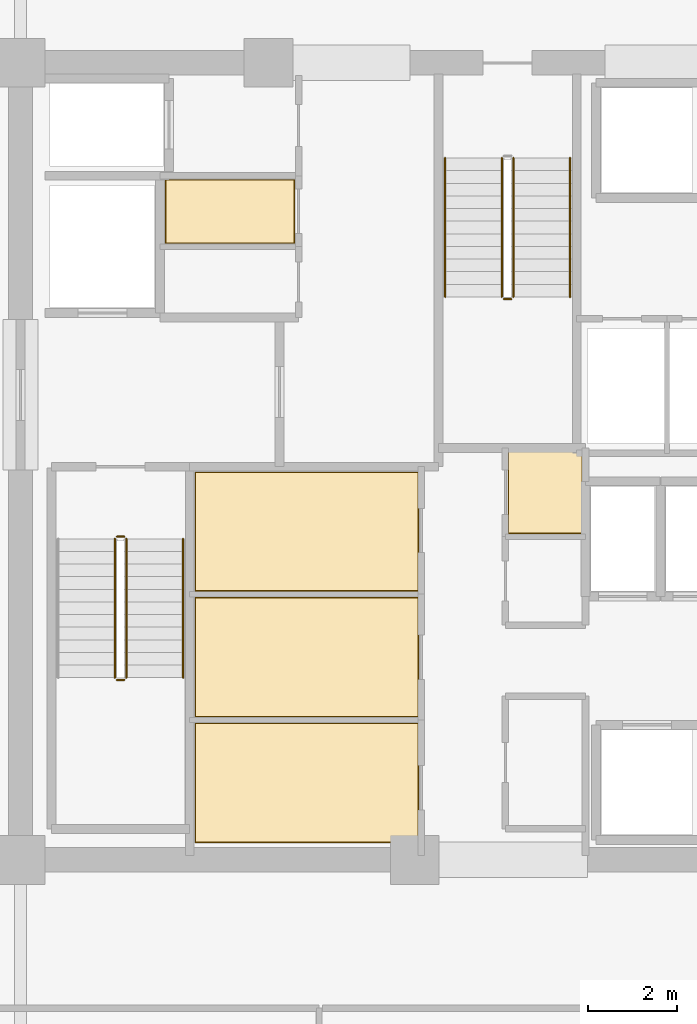
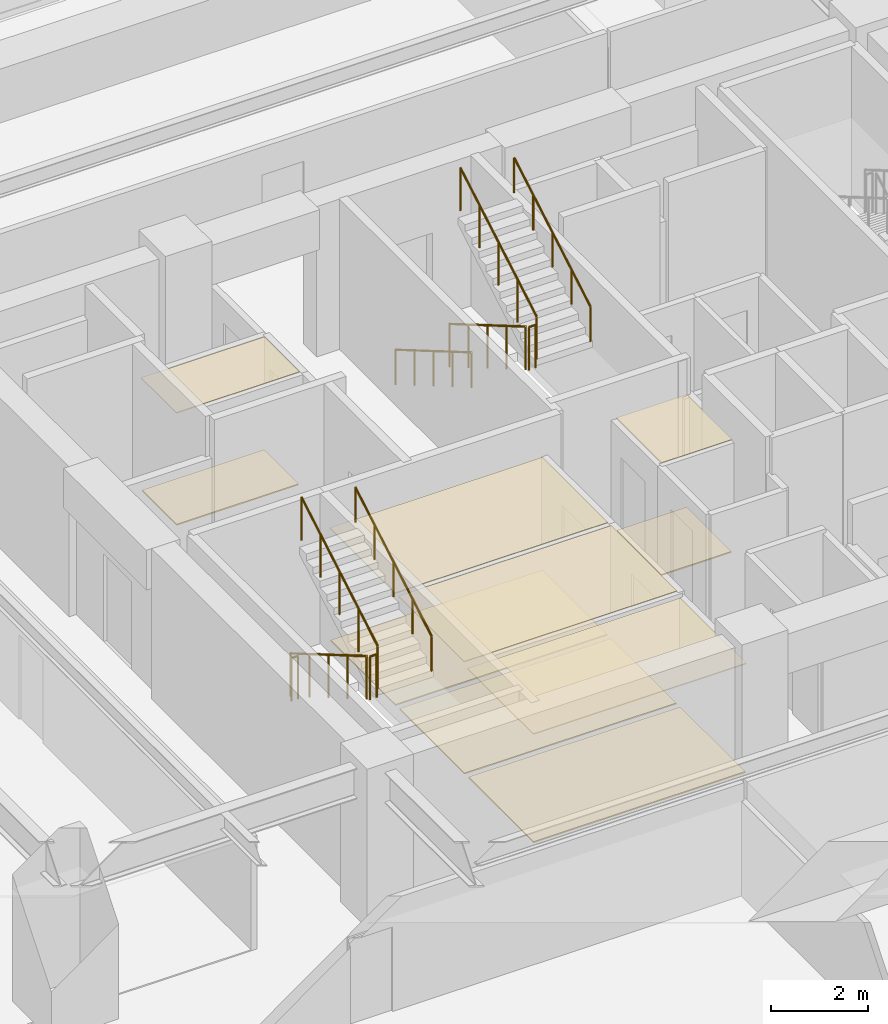
# One storey, part 19 of 23: 10 coverings, 10 railings.
"""IFC4 building model written with IfcOpenShell, lengths in metres."""

from ifc_helpers import new_model, si_unit, direction, frame, origin, origin_2d, place, context, subcontext, project, spatial, polyline, circle, outline, extrude, material, layer, layer_set, type_object, element, save


model = new_model("IFC4")

# Units and contexts
model_context = context("Model", 3, precision=1e-05, world=origin(), true_north=direction((0.0, 1.0)))
body_context = subcontext(model_context, "Body", "Model", "MODEL_VIEW")
ifc_project = project(units=[si_unit("LENGTHUNIT", "METRE"), si_unit("AREAUNIT", "SQUARE_METRE"), si_unit("VOLUMEUNIT", "CUBIC_METRE"), si_unit("PLANEANGLEUNIT", "RADIAN"), si_unit("MASSUNIT", "GRAM", prefix="KILO")], contexts=[model_context])

# Site, building, storey
site_placement = place(None, origin())
site = spatial("IfcSite", under=ifc_project, at=site_placement, CompositionType="ELEMENT")
building_placement = place(site_placement, origin())
building = spatial("IfcBuilding", under=site, at=building_placement, Name="Kovane Verandah Tower", CompositionType="ELEMENT")
storey_placement = place(building_placement, frame((0.0, 0.0, 136.39990234375)))
storey = spatial("IfcBuildingStorey", under=building, at=storey_placement, Name="L31", CompositionType="ELEMENT", Elevation=136.39990234375)

# Coverings
ifc_material_1 = material(Name="Perforated Acoustic Mineral-Fibre Ceiling Tile", Category="gypsum")
ifc_layer_1 = layer(ifc_material_1, 0.02490234375)
ifc_layer_set_1 = layer_set([ifc_layer_1], Name="Perforated Acoustic Mineral-Fibre Ceiling Tile")
covering_type_1 = type_object("IfcCoveringType", Name="CV-CEIL-25", PredefinedType="CEILING", material=ifc_layer_set_1)
covering_1_placement = place(storey_placement, frame((0.0, 0.0, 2.72998046875)))
element("IfcCovering", 1, at=covering_1_placement, inside=storey, type_object=covering_type_1, Name="L31 Project Archive Room Acoustic Ceiling", PredefinedType="CEILING", context=body_context, shape_type="SweptSolid", body=[
    extrude(outline(polyline([(32.93505859375, 18.885009765625), (37.9951171875, 18.885009765625), (37.9951171875, 21.594970703125), (32.93505859375, 21.594970703125), (32.93505859375, 18.885009765625)])), origin(), (0.0, 0.0, 1.0), 0.025146484375),
])
covering_2_placement = place(storey_placement, frame((0.0, 0.0, 2.8251953125)))
element("IfcCovering", 2, at=covering_2_placement, inside=storey, type_object=covering_type_1, Name="L31 First Aid and Wellness Room Acoustic Ceiling", PredefinedType="CEILING", context=body_context, shape_type="SweptSolid", body=[
    extrude(outline(polyline([(32.93505859375, 21.72509765625), (37.9951171875, 21.72509765625), (37.9951171875, 24.43505859375), (32.93505859375, 24.43505859375), (32.93505859375, 21.72509765625)])), origin(), (0.0, 0.0, 1.0), 0.02490234375),
])
covering_3_placement = place(storey_placement, frame((0.0, 0.0, 2.8251953125)))
element("IfcCovering", 3, at=covering_3_placement, inside=storey, type_object=covering_type_1, Name="L31 Tea and Copy Hub Acoustic Ceiling", PredefinedType="CEILING", context=body_context, shape_type="SweptSolid", body=[
    extrude(outline(polyline([(32.93505859375, 24.56494140625), (37.9951171875, 24.56494140625), (37.9951171875, 27.264892578125), (32.93505859375, 27.264892578125), (32.93505859375, 24.56494140625)])), origin(), (0.0, 0.0, 1.0), 0.02490234375),
])
covering_4_placement = place(storey_placement, frame((0.0, 0.0, 2.8251953125)))
element("IfcCovering", 4, at=covering_4_placement, inside=storey, type_object=covering_type_1, Name="L31 North-West First Aid Room Acoustic Ceiling", PredefinedType="CEILING", context=body_context, shape_type="SweptSolid", body=[
    extrude(outline(polyline([(32.264892578125, 32.4150390625), (35.195068359375, 32.4150390625), (35.195068359375, 33.864990234375), (32.264892578125, 33.864990234375), (32.264892578125, 32.4150390625)])), origin(), (0.0, 0.0, 1.0), 0.02490234375),
])
covering_5_placement = place(storey_placement, frame((0.0, 0.0, 2.8251953125)))
element("IfcCovering", 5, at=covering_5_placement, inside=storey, type_object=covering_type_1, Name="L31 Central First Aid and Wellness Room Acoustic Ceiling", PredefinedType="CEILING", context=body_context, shape_type="SweptSolid", body=[
    extrude(outline(polyline([(40.0048828125, 25.864990234375), (41.695068359375, 25.864990234375), (41.695068359375, 27.735107421875), (40.0048828125, 27.735107421875), (40.0048828125, 25.864990234375)])), origin(), (0.0, 0.0, 1.0), 0.02490234375),
])
ifc_material_2 = material(Name="Polished Terrazzo and Raised-Access Carpet Tile Finish", Category="concrete")
ifc_layer_2 = layer(ifc_material_2, 0.030029296875)
ifc_layer_set_2 = layer_set([ifc_layer_2], Name="Polished Terrazzo and Raised-Access Carpet Tile Finish")
covering_type_2 = type_object("IfcCoveringType", Name="CV-FLOR-30", PredefinedType="FLOORING", material=ifc_layer_set_2)
covering_6_placement = place(storey_placement, origin())
element("IfcCovering", 6, at=covering_6_placement, inside=storey, type_object=covering_type_2, Name="L31 Project Archive Room Floor Finish", PredefinedType="FLOORING", context=body_context, shape_type="SweptSolid", body=[
    extrude(outline(polyline([(32.949951171875, 18.89990234375), (37.97998046875, 18.89990234375), (37.97998046875, 21.580078125), (32.949951171875, 21.580078125), (32.949951171875, 18.89990234375)])), origin(), (0.0, 0.0, 1.0), 0.030029296875),
])
covering_7_placement = place(storey_placement, origin())
element("IfcCovering", 7, at=covering_7_placement, inside=storey, type_object=covering_type_2, Name="L31 First Aid and Wellness Room Floor Finish", PredefinedType="FLOORING", context=body_context, shape_type="SweptSolid", body=[
    extrude(outline(polyline([(32.949951171875, 21.739990234375), (37.97998046875, 21.739990234375), (37.97998046875, 24.419921875), (32.949951171875, 24.419921875), (32.949951171875, 21.739990234375)])), origin(), (0.0, 0.0, 1.0), 0.030029296875),
])
covering_8_placement = place(storey_placement, origin())
element("IfcCovering", 8, at=covering_8_placement, inside=storey, type_object=covering_type_2, Name="L31 Tea and Copy Hub Floor Finish", PredefinedType="FLOORING", context=body_context, shape_type="SweptSolid", body=[
    extrude(outline(polyline([(32.949951171875, 24.580078125), (37.97998046875, 24.580078125), (37.97998046875, 27.25), (32.949951171875, 27.25), (32.949951171875, 24.580078125)])), origin(), (0.0, 0.0, 1.0), 0.030029296875),
])
covering_9_placement = place(storey_placement, origin())
element("IfcCovering", 9, at=covering_9_placement, inside=storey, type_object=covering_type_2, Name="L31 North-West First Aid Room Floor Finish", PredefinedType="FLOORING", context=body_context, shape_type="SweptSolid", body=[
    extrude(outline(polyline([(32.280029296875, 32.429931640625), (35.179931640625, 32.429931640625), (35.179931640625, 33.85009765625), (32.280029296875, 33.85009765625), (32.280029296875, 32.429931640625)])), origin(), (0.0, 0.0, 1.0), 0.030029296875),
])
covering_10_placement = place(storey_placement, origin())
element("IfcCovering", 10, at=covering_10_placement, inside=storey, type_object=covering_type_2, Name="L31 Central First Aid and Wellness Room Floor Finish", PredefinedType="FLOORING", context=body_context, shape_type="SweptSolid", body=[
    extrude(outline(polyline([(40.02001953125, 25.8798828125), (41.679931640625, 25.8798828125), (41.679931640625, 27.719970703125), (40.02001953125, 27.719970703125), (40.02001953125, 25.8798828125)])), origin(), (0.0, 0.0, 1.0), 0.030029296875),
])

# Railings
ifc_material_3 = material(Name="Brushed Stainless Steel Handrail", Category="steel")
railing_type_1 = type_object("IfcRailingType", Name="RL-HAND-920", PredefinedType="HANDRAIL", material=ifc_material_3)
railing_1_placement = place(storey_placement, frame((32.669921875, 22.614990234375, 2.166748046875)))
element("IfcRailing", 11, at=railing_1_placement, inside=storey, type_object=railing_type_1, Name="L31 ST-01 stair handrail 2", PredefinedType="HANDRAIL", context=body_context, shape_type="SweptSolid", body=[
    extrude(circle(Radius=0.02392578125, at=origin_2d()), frame((0.0, 0.0, 0.8759765625), z_axis=(0.0, 0.863239559939, 0.504794475164), x_axis=(-1.0, 0.0, 0.0)), (0.0, 0.0, 1.0), 3.631591796875),
    extrude(circle(Radius=0.02099609375, at=origin_2d()), origin(), (0.0, 0.0, 1.0), 0.851806640625),
    extrude(circle(Radius=0.02099609375, at=origin_2d()), frame((0.0, 0.78369140625, 0.458251953125)), (0.0, 0.0, 1.0), 0.851806640625),
    extrude(circle(Radius=0.02099609375, at=origin_2d()), frame((0.0, 1.5673828125, 0.91650390625)), (0.0, 0.0, 1.0), 0.851806640625),
    extrude(circle(Radius=0.02099609375, at=origin_2d()), frame((0.0, 2.351318359375, 1.375)), (0.0, 0.0, 1.0), 0.851806640625),
    extrude(circle(Radius=0.02099609375, at=origin_2d()), frame((0.0, 3.135009765625, 1.833251953125)), (0.0, 0.0, 1.0), 0.851806640625),
])
railing_2_placement = place(storey_placement, frame((38.590087890625, 34.35009765625, 0.166748046875)))
element("IfcRailing", 12, at=railing_2_placement, inside=storey, type_object=railing_type_1, Name="L31 ST-03 stair handrail 1", PredefinedType="HANDRAIL", context=body_context, shape_type="SweptSolid", body=[
    extrude(circle(Radius=0.02392578125, at=origin_2d()), frame((0.0, 0.0, 0.8759765625), z_axis=(0.0, -0.863239559939, 0.504794475164), x_axis=(1.0, 0.0, 0.0)), (0.0, 0.0, 1.0), 3.631591796875),
    extrude(circle(Radius=0.02099609375, at=origin_2d()), origin(), (0.0, 0.0, 1.0), 0.851806640625),
    extrude(circle(Radius=0.02099609375, at=origin_2d()), frame((0.0, -0.78369140625, 0.458251953125)), (0.0, 0.0, 1.0), 0.851806640625),
    extrude(circle(Radius=0.02099609375, at=origin_2d()), frame((0.0, -1.5673828125, 0.91650390625)), (0.0, 0.0, 1.0), 0.851806640625),
    extrude(circle(Radius=0.02099609375, at=origin_2d()), frame((0.0, -2.351318359375, 1.375)), (0.0, 0.0, 1.0), 0.851806640625),
    extrude(circle(Radius=0.02099609375, at=origin_2d()), frame((0.0, -3.135009765625, 1.833251953125)), (0.0, 0.0, 1.0), 0.851806640625),
])
railing_3_placement = place(storey_placement, frame((41.409912109375, 31.215087890625, 2.166748046875)))
element("IfcRailing", 13, at=railing_3_placement, inside=storey, type_object=railing_type_1, Name="L31 ST-03 stair handrail 2", PredefinedType="HANDRAIL", context=body_context, shape_type="SweptSolid", body=[
    extrude(circle(Radius=0.02392578125, at=origin_2d()), frame((0.0, 0.0, 0.8759765625), z_axis=(0.0, 0.863239559939, 0.504794475164), x_axis=(-1.0, 0.0, 0.0)), (0.0, 0.0, 1.0), 3.631591796875),
    extrude(circle(Radius=0.02099609375, at=origin_2d()), origin(), (0.0, 0.0, 1.0), 0.851806640625),
    extrude(circle(Radius=0.02099609375, at=origin_2d()), frame((0.0, 0.78369140625, 0.458251953125)), (0.0, 0.0, 1.0), 0.851806640625),
    extrude(circle(Radius=0.02099609375, at=origin_2d()), frame((0.0, 1.5673828125, 0.91650390625)), (0.0, 0.0, 1.0), 0.851806640625),
    extrude(circle(Radius=0.02099609375, at=origin_2d()), frame((0.0, 2.351318359375, 1.375)), (0.0, 0.0, 1.0), 0.851806640625),
    extrude(circle(Radius=0.02099609375, at=origin_2d()), frame((0.0, 3.135009765625, 1.833251953125)), (0.0, 0.0, 1.0), 0.851806640625),
])
ifc_material_4 = material(Name="Painted Steel Stairwell Guardrail", Category="steel")
railing_type_2 = type_object("IfcRailingType", Name="RL-STGUARD-1120", PredefinedType="GUARDRAIL", material=ifc_material_4)
railing_4_placement = place(storey_placement, frame((31.1298828125, 25.75, 0.166748046875)))
element("IfcRailing", 14, at=railing_4_placement, inside=storey, type_object=railing_type_2, Name="L31 ST-01 stair guard 1", PredefinedType="GUARDRAIL", context=body_context, shape_type="SweptSolid", body=[
    extrude(circle(Radius=0.02392578125, at=origin_2d()), frame((0.0, 0.0, 1.076171875), z_axis=(0.0, -0.863239559939, 0.504794475164), x_axis=(1.0, 0.0, 0.0)), (0.0, 0.0, 1.0), 3.631591796875),
    extrude(circle(Radius=0.02099609375, at=origin_2d()), origin(), (0.0, 0.0, 1.0), 1.052001953125),
    extrude(circle(Radius=0.02099609375, at=origin_2d()), frame((0.0, -0.78369140625, 0.458251953125)), (0.0, 0.0, 1.0), 1.052001953125),
    extrude(circle(Radius=0.02099609375, at=origin_2d()), frame((0.0, -1.5673828125, 0.91650390625)), (0.0, 0.0, 1.0), 1.052001953125),
    extrude(circle(Radius=0.02099609375, at=origin_2d()), frame((0.0, -2.351318359375, 1.375)), (0.0, 0.0, 1.0), 1.052001953125),
    extrude(circle(Radius=0.02099609375, at=origin_2d()), frame((0.0, -3.135009765625, 1.833251953125)), (0.0, 0.0, 1.0), 1.052001953125),
])
railing_5_placement = place(storey_placement, frame((31.179931640625, 22.56494140625, 2.0)))
element("IfcRailing", 15, at=railing_5_placement, inside=storey, type_object=railing_type_2, Name="L31 ST-01 stair guard 2", PredefinedType="GUARDRAIL", context=body_context, shape_type="SweptSolid", body=[
    extrude(circle(Radius=0.02392578125, at=origin_2d()), frame((0.0, 0.0, 1.076171875), z_axis=(1.0, 0.0, 0.0), x_axis=(0.0, 1.0, 0.0)), (0.0, 0.0, 1.0), 0.16015625),
    extrude(circle(Radius=0.02099609375, at=origin_2d()), origin(), (0.0, 0.0, 1.0), 1.052001953125),
    extrude(circle(Radius=0.02099609375, at=origin_2d()), frame((0.16015625, 0.0, 0.0)), (0.0, 0.0, 1.0), 1.052001953125),
])
railing_6_placement = place(storey_placement, frame((31.389892578125, 22.614990234375, 2.166748046875)))
element("IfcRailing", 16, at=railing_6_placement, inside=storey, type_object=railing_type_2, Name="L31 ST-01 stair guard 3", PredefinedType="GUARDRAIL", context=body_context, shape_type="SweptSolid", body=[
    extrude(circle(Radius=0.02392578125, at=origin_2d()), frame((0.0, 0.0, 1.076171875), z_axis=(0.0, 0.863239559939, 0.504794475164), x_axis=(-1.0, 0.0, 0.0)), (0.0, 0.0, 1.0), 3.631591796875),
    extrude(circle(Radius=0.02099609375, at=origin_2d()), origin(), (0.0, 0.0, 1.0), 1.052001953125),
    extrude(circle(Radius=0.02099609375, at=origin_2d()), frame((0.0, 0.78369140625, 0.458251953125)), (0.0, 0.0, 1.0), 1.052001953125),
    extrude(circle(Radius=0.02099609375, at=origin_2d()), frame((0.0, 1.5673828125, 0.91650390625)), (0.0, 0.0, 1.0), 1.052001953125),
    extrude(circle(Radius=0.02099609375, at=origin_2d()), frame((0.0, 2.351318359375, 1.375)), (0.0, 0.0, 1.0), 1.052001953125),
    extrude(circle(Radius=0.02099609375, at=origin_2d()), frame((0.0, 3.135009765625, 1.833251953125)), (0.0, 0.0, 1.0), 1.052001953125),
])
railing_7_placement = place(storey_placement, frame((31.179931640625, 25.800048828125, 0.0)))
element("IfcRailing", 17, at=railing_7_placement, inside=storey, type_object=railing_type_2, Name="L31 ST-01 stair guard 4", PredefinedType="GUARDRAIL", context=body_context, shape_type="SweptSolid", body=[
    extrude(circle(Radius=0.02392578125, at=origin_2d()), frame((0.0, 0.0, 1.076171875), z_axis=(1.0, 0.0, 0.0), x_axis=(0.0, 1.0, 0.0)), (0.0, 0.0, 1.0), 0.16015625),
    extrude(circle(Radius=0.02099609375, at=origin_2d()), origin(), (0.0, 0.0, 1.0), 1.052001953125),
    extrude(circle(Radius=0.02099609375, at=origin_2d()), frame((0.16015625, 0.0, 0.0)), (0.0, 0.0, 1.0), 1.052001953125),
])
railing_8_placement = place(storey_placement, frame((39.8701171875, 34.35009765625, 0.166748046875)))
element("IfcRailing", 18, at=railing_8_placement, inside=storey, type_object=railing_type_2, Name="L31 ST-03 stair guard 1", PredefinedType="GUARDRAIL", context=body_context, shape_type="SweptSolid", body=[
    extrude(circle(Radius=0.02392578125, at=origin_2d()), frame((0.0, 0.0, 1.076171875), z_axis=(0.0, -0.863239559939, 0.504794475164), x_axis=(1.0, 0.0, 0.0)), (0.0, 0.0, 1.0), 3.631591796875),
    extrude(circle(Radius=0.02099609375, at=origin_2d()), origin(), (0.0, 0.0, 1.0), 1.052001953125),
    extrude(circle(Radius=0.02099609375, at=origin_2d()), frame((0.0, -0.78369140625, 0.458251953125)), (0.0, 0.0, 1.0), 1.052001953125),
    extrude(circle(Radius=0.02099609375, at=origin_2d()), frame((0.0, -1.5673828125, 0.91650390625)), (0.0, 0.0, 1.0), 1.052001953125),
    extrude(circle(Radius=0.02099609375, at=origin_2d()), frame((0.0, -2.351318359375, 1.375)), (0.0, 0.0, 1.0), 1.052001953125),
    extrude(circle(Radius=0.02099609375, at=origin_2d()), frame((0.0, -3.135009765625, 1.833251953125)), (0.0, 0.0, 1.0), 1.052001953125),
])
railing_9_placement = place(storey_placement, frame((39.919921875, 31.1650390625, 2.0)))
element("IfcRailing", 19, at=railing_9_placement, inside=storey, type_object=railing_type_2, Name="L31 ST-03 stair guard 2", PredefinedType="GUARDRAIL", context=body_context, shape_type="SweptSolid", body=[
    extrude(circle(Radius=0.02392578125, at=origin_2d()), frame((0.0, 0.0, 1.076171875), z_axis=(1.0, 0.0, 0.0), x_axis=(0.0, 1.0, 0.0)), (0.0, 0.0, 1.0), 0.16015625),
    extrude(circle(Radius=0.02099609375, at=origin_2d()), origin(), (0.0, 0.0, 1.0), 1.052001953125),
    extrude(circle(Radius=0.02099609375, at=origin_2d()), frame((0.16015625, 0.0, 0.0)), (0.0, 0.0, 1.0), 1.052001953125),
])
railing_10_placement = place(storey_placement, frame((40.1298828125, 31.215087890625, 2.166748046875)))
element("IfcRailing", 20, at=railing_10_placement, inside=storey, type_object=railing_type_2, Name="L31 ST-03 stair guard 3", PredefinedType="GUARDRAIL", context=body_context, shape_type="SweptSolid", body=[
    extrude(circle(Radius=0.02392578125, at=origin_2d()), frame((0.0, 0.0, 1.076171875), z_axis=(0.0, 0.863239559939, 0.504794475164), x_axis=(-1.0, 0.0, 0.0)), (0.0, 0.0, 1.0), 3.631591796875),
    extrude(circle(Radius=0.02099609375, at=origin_2d()), origin(), (0.0, 0.0, 1.0), 1.052001953125),
    extrude(circle(Radius=0.02099609375, at=origin_2d()), frame((0.0, 0.78369140625, 0.458251953125)), (0.0, 0.0, 1.0), 1.052001953125),
    extrude(circle(Radius=0.02099609375, at=origin_2d()), frame((0.0, 1.5673828125, 0.91650390625)), (0.0, 0.0, 1.0), 1.052001953125),
    extrude(circle(Radius=0.02099609375, at=origin_2d()), frame((0.0, 2.351318359375, 1.375)), (0.0, 0.0, 1.0), 1.052001953125),
    extrude(circle(Radius=0.02099609375, at=origin_2d()), frame((0.0, 3.135009765625, 1.833251953125)), (0.0, 0.0, 1.0), 1.052001953125),
])

save(model, "model.ifc")
